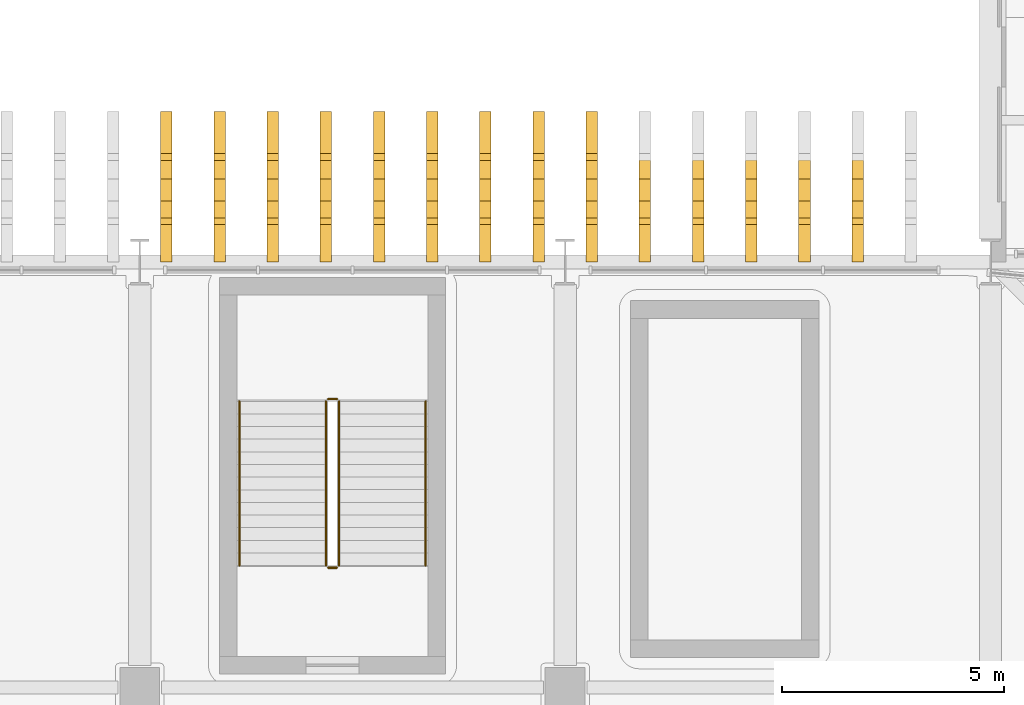
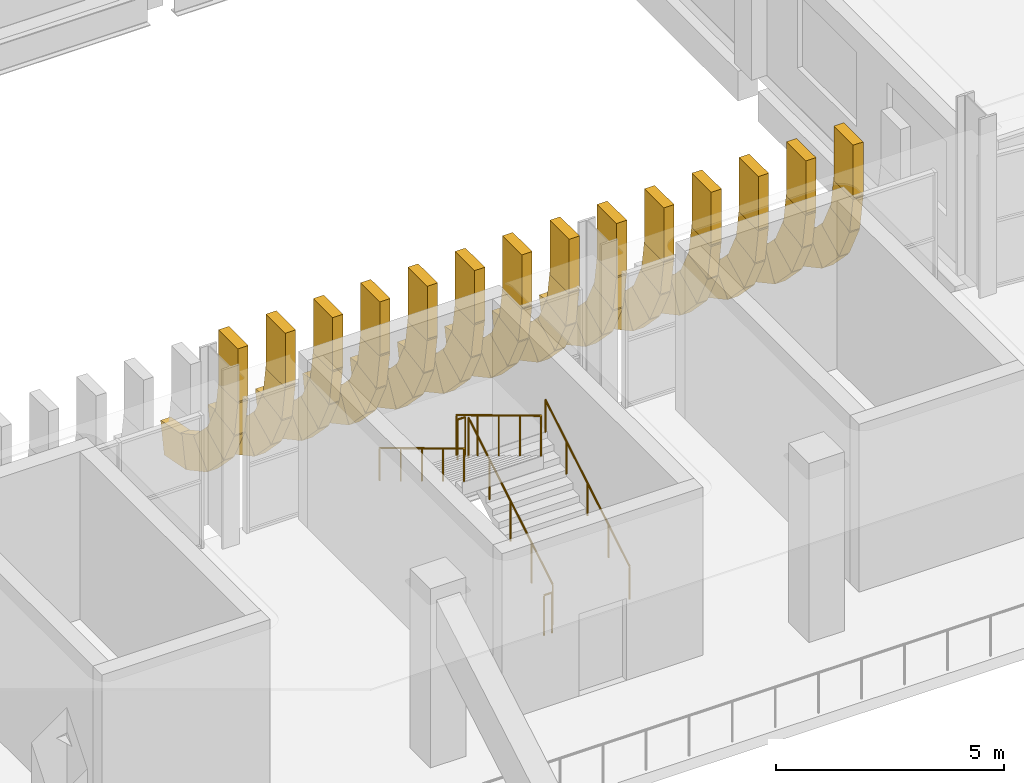
# One storey, part 95 of 100: 79 coverings, 6 railings.
"""IFC4 building model written with IfcOpenShell, lengths in metres."""

from ifc_helpers import new_model, si_unit, direction, frame, origin, origin_2d, place, context, subcontext, project, spatial, rectangle, circle, extrude, material, material_profile, profile_set, type_object, element, save


model = new_model("IFC4")

# Units and contexts
model_context = context("Model", 3, precision=1e-05, world=origin(), true_north=direction((0.0, 1.0)))
body_context = subcontext(model_context, "Body", "Model", "MODEL_VIEW")
ifc_project = project(units=[si_unit("LENGTHUNIT", "METRE"), si_unit("AREAUNIT", "SQUARE_METRE"), si_unit("VOLUMEUNIT", "CUBIC_METRE"), si_unit("PLANEANGLEUNIT", "RADIAN"), si_unit("MASSUNIT", "GRAM", prefix="KILO")], contexts=[model_context])

# Site, building, storey
site_placement = place(None, origin())
site = spatial("IfcSite", under=ifc_project, at=site_placement, CompositionType="ELEMENT")
building_placement = place(site_placement, origin())
building = spatial("IfcBuilding", under=site, at=building_placement, Name="Caelomonte Colonnade Arena", CompositionType="ELEMENT")
storey_placement = place(building_placement, origin())
storey = spatial("IfcBuildingStorey", under=building, at=storey_placement, Name="L00", CompositionType="ELEMENT", Elevation=0.0)

# Coverings
ifc_material_1 = material(Name="Precast travertine cladding", Category="masonry")
ifc_material_profile = material_profile(ifc_material_1, rectangle(XDim=0.260009765625, YDim=0.85009765625, at=origin_2d()), Name="FIN260X850")
ifc_profile_set = profile_set([ifc_material_profile], Name="Precast travertine cladding")
covering_type = type_object("IfcCoveringType", Name="ENV-FN-SKIRT", PredefinedType="CLADDING", material=ifc_profile_set)
covering_1_placement = place(storey_placement, frame((141.0, 115.62109375, 3.360107421875), z_axis=(0.0, 0.0, 1.0), x_axis=(1.0, 0.0, 0.0)))
element("IfcCovering", 1, at=covering_1_placement, inside=storey, type_object=covering_type, Name="V1 L00 upper classical fin stem 94", PredefinedType="CLADDING", context=body_context, shape_type="SweptSolid", body=[
    extrude(rectangle(XDim=0.260009765625, YDim=0.85009765625, at=origin_2d()), origin(), (0.0, 0.0, 1.0), 1.4599609375),
])
for number, where, z_axis, x_axis, name in (
    (2, (141.0, 115.614013671875, 3.474609375), (0.0, 0.153076342973, -0.988214366027), (-1.0, 0.0, 0.0), "V1 L00 splayed classical fin skirt chord 1 (94)"),
    (3, (141.0, 115.741455078125, 2.563232421875), (0.0, 0.444692864571, -0.89568312265), (-1.0, 0.0, 0.0), "V1 L00 splayed classical fin skirt chord 2 (94)"),
    (4, (141.0, 116.13818359375, 1.733154296875), (0.0, 0.694646381209, -0.71935137803), (-1.0, 0.0, 0.0), "V1 L00 splayed classical fin skirt chord 3 (94)"),
    (5, (141.0, 116.767578125, 1.061767578125), (0.0, 0.879731158529, -0.475471438379), (-1.0, 0.0, 0.0), "V1 L00 splayed classical fin skirt chord 4 (94)"),
):
    element("IfcCovering", number, at=place(storey_placement, frame(where, z_axis=z_axis, x_axis=x_axis)), inside=storey, type_object=covering_type, Name=name, PredefinedType="CLADDING", context=body_context, shape_type="SweptSolid", body=[
        extrude(rectangle(XDim=0.260009765625, YDim=0.85009765625, at=origin_2d()), origin(), (0.0, 0.0, 1.0), 1.008056640625),
    ])
covering_2_placement = place(storey_placement, frame((139.800048828125, 115.62109375, 3.360107421875), z_axis=(0.0, 0.0, 1.0), x_axis=(1.0, 0.0, 0.0)))
element("IfcCovering", 6, at=covering_2_placement, inside=storey, type_object=covering_type, Name="V1 L00 upper classical fin stem 95", PredefinedType="CLADDING", context=body_context, shape_type="SweptSolid", body=[
    extrude(rectangle(XDim=0.260009765625, YDim=0.85009765625, at=origin_2d()), origin(), (0.0, 0.0, 1.0), 1.4599609375),
])
for number, where, z_axis, x_axis, name in (
    (7, (139.800048828125, 115.614013671875, 3.474609375), (0.0, 0.153076342973, -0.988214366027), (-1.0, 0.0, 0.0), "V1 L00 splayed classical fin skirt chord 1 (95)"),
    (8, (139.800048828125, 115.741455078125, 2.563232421875), (0.0, 0.444692864571, -0.89568312265), (-1.0, 0.0, 0.0), "V1 L00 splayed classical fin skirt chord 2 (95)"),
    (9, (139.800048828125, 116.13818359375, 1.733154296875), (0.0, 0.694646381209, -0.71935137803), (-1.0, 0.0, 0.0), "V1 L00 splayed classical fin skirt chord 3 (95)"),
    (10, (139.800048828125, 116.767578125, 1.061767578125), (0.0, 0.879731158529, -0.475471438379), (-1.0, 0.0, 0.0), "V1 L00 splayed classical fin skirt chord 4 (95)"),
):
    element("IfcCovering", number, at=place(storey_placement, frame(where, z_axis=z_axis, x_axis=x_axis)), inside=storey, type_object=covering_type, Name=name, PredefinedType="CLADDING", context=body_context, shape_type="SweptSolid", body=[
        extrude(rectangle(XDim=0.260009765625, YDim=0.85009765625, at=origin_2d()), origin(), (0.0, 0.0, 1.0), 1.008056640625),
    ])
covering_3_placement = place(storey_placement, frame((138.60009765625, 115.62109375, 3.360107421875), z_axis=(0.0, 0.0, 1.0), x_axis=(1.0, 0.0, 0.0)))
element("IfcCovering", 11, at=covering_3_placement, inside=storey, type_object=covering_type, Name="V1 L00 upper classical fin stem 96", PredefinedType="CLADDING", context=body_context, shape_type="SweptSolid", body=[
    extrude(rectangle(XDim=0.260009765625, YDim=0.85009765625, at=origin_2d()), origin(), (0.0, 0.0, 1.0), 1.4599609375),
])
for number, where, z_axis, x_axis, name in (
    (12, (138.60009765625, 115.614013671875, 3.474609375), (0.0, 0.153076342973, -0.988214366027), (-1.0, 0.0, 0.0), "V1 L00 splayed classical fin skirt chord 1 (96)"),
    (13, (138.60009765625, 115.741455078125, 2.563232421875), (0.0, 0.444692864571, -0.89568312265), (-1.0, 0.0, 0.0), "V1 L00 splayed classical fin skirt chord 2 (96)"),
    (14, (138.60009765625, 116.13818359375, 1.733154296875), (0.0, 0.694646381209, -0.71935137803), (-1.0, 0.0, 0.0), "V1 L00 splayed classical fin skirt chord 3 (96)"),
    (15, (138.60009765625, 116.767578125, 1.061767578125), (0.0, 0.879731158529, -0.475471438379), (-1.0, 0.0, 0.0), "V1 L00 splayed classical fin skirt chord 4 (96)"),
):
    element("IfcCovering", number, at=place(storey_placement, frame(where, z_axis=z_axis, x_axis=x_axis)), inside=storey, type_object=covering_type, Name=name, PredefinedType="CLADDING", context=body_context, shape_type="SweptSolid", body=[
        extrude(rectangle(XDim=0.260009765625, YDim=0.85009765625, at=origin_2d()), origin(), (0.0, 0.0, 1.0), 1.008056640625),
    ])
covering_4_placement = place(storey_placement, frame((137.39990234375, 115.62109375, 3.360107421875), z_axis=(0.0, 0.0, 1.0), x_axis=(1.0, 0.0, 0.0)))
element("IfcCovering", 16, at=covering_4_placement, inside=storey, type_object=covering_type, Name="V1 L00 upper classical fin stem 97", PredefinedType="CLADDING", context=body_context, shape_type="SweptSolid", body=[
    extrude(rectangle(XDim=0.260009765625, YDim=0.85009765625, at=origin_2d()), origin(), (0.0, 0.0, 1.0), 1.4599609375),
])
for number, where, z_axis, x_axis, name in (
    (17, (137.39990234375, 115.614013671875, 3.474609375), (0.0, 0.153076342973, -0.988214366027), (-1.0, 0.0, 0.0), "V1 L00 splayed classical fin skirt chord 1 (97)"),
    (18, (137.39990234375, 115.741455078125, 2.563232421875), (0.0, 0.444692864571, -0.89568312265), (-1.0, 0.0, 0.0), "V1 L00 splayed classical fin skirt chord 2 (97)"),
    (19, (137.39990234375, 116.13818359375, 1.733154296875), (0.0, 0.694646381209, -0.71935137803), (-1.0, 0.0, 0.0), "V1 L00 splayed classical fin skirt chord 3 (97)"),
    (20, (137.39990234375, 116.767578125, 1.061767578125), (0.0, 0.879731158529, -0.475471438379), (-1.0, 0.0, 0.0), "V1 L00 splayed classical fin skirt chord 4 (97)"),
):
    element("IfcCovering", number, at=place(storey_placement, frame(where, z_axis=z_axis, x_axis=x_axis)), inside=storey, type_object=covering_type, Name=name, PredefinedType="CLADDING", context=body_context, shape_type="SweptSolid", body=[
        extrude(rectangle(XDim=0.260009765625, YDim=0.85009765625, at=origin_2d()), origin(), (0.0, 0.0, 1.0), 1.008056640625),
    ])
covering_5_placement = place(storey_placement, frame((136.199951171875, 115.62109375, 3.360107421875), z_axis=(0.0, 0.0, 1.0), x_axis=(1.0, 0.0, 0.0)))
element("IfcCovering", 21, at=covering_5_placement, inside=storey, type_object=covering_type, Name="V1 L00 upper classical fin stem 98", PredefinedType="CLADDING", context=body_context, shape_type="SweptSolid", body=[
    extrude(rectangle(XDim=0.260009765625, YDim=0.85009765625, at=origin_2d()), origin(), (0.0, 0.0, 1.0), 1.4599609375),
])
for number, where, z_axis, x_axis, name in (
    (22, (136.199951171875, 115.614013671875, 3.474609375), (0.0, 0.153076342973, -0.988214366027), (-1.0, 0.0, 0.0), "V1 L00 splayed classical fin skirt chord 1 (98)"),
    (23, (136.199951171875, 115.741455078125, 2.563232421875), (0.0, 0.444692864571, -0.89568312265), (-1.0, 0.0, 0.0), "V1 L00 splayed classical fin skirt chord 2 (98)"),
    (24, (136.199951171875, 116.13818359375, 1.733154296875), (0.0, 0.694646381209, -0.71935137803), (-1.0, 0.0, 0.0), "V1 L00 splayed classical fin skirt chord 3 (98)"),
    (25, (136.199951171875, 116.767578125, 1.061767578125), (0.0, 0.879731158529, -0.475471438379), (-1.0, 0.0, 0.0), "V1 L00 splayed classical fin skirt chord 4 (98)"),
):
    element("IfcCovering", number, at=place(storey_placement, frame(where, z_axis=z_axis, x_axis=x_axis)), inside=storey, type_object=covering_type, Name=name, PredefinedType="CLADDING", context=body_context, shape_type="SweptSolid", body=[
        extrude(rectangle(XDim=0.260009765625, YDim=0.85009765625, at=origin_2d()), origin(), (0.0, 0.0, 1.0), 1.008056640625),
    ])
covering_6_placement = place(storey_placement, frame((135.0, 115.62109375, 3.360107421875), z_axis=(0.0, 0.0, 1.0), x_axis=(1.0, 0.0, 0.0)))
element("IfcCovering", 26, at=covering_6_placement, inside=storey, type_object=covering_type, Name="V1 L00 upper classical fin stem 99", PredefinedType="CLADDING", context=body_context, shape_type="SweptSolid", body=[
    extrude(rectangle(XDim=0.260009765625, YDim=0.85009765625, at=origin_2d()), origin(), (0.0, 0.0, 1.0), 1.4599609375),
])
for number, where, z_axis, x_axis, name in (
    (27, (135.0, 115.614013671875, 3.474609375), (0.0, 0.153076342973, -0.988214366027), (-1.0, 0.0, 0.0), "V1 L00 splayed classical fin skirt chord 1 (99)"),
    (28, (135.0, 115.741455078125, 2.563232421875), (0.0, 0.444692864571, -0.89568312265), (-1.0, 0.0, 0.0), "V1 L00 splayed classical fin skirt chord 2 (99)"),
    (29, (135.0, 116.13818359375, 1.733154296875), (0.0, 0.694646381209, -0.71935137803), (-1.0, 0.0, 0.0), "V1 L00 splayed classical fin skirt chord 3 (99)"),
    (30, (135.0, 116.767578125, 1.061767578125), (0.0, 0.879731158529, -0.475471438379), (-1.0, 0.0, 0.0), "V1 L00 splayed classical fin skirt chord 4 (99)"),
):
    element("IfcCovering", number, at=place(storey_placement, frame(where, z_axis=z_axis, x_axis=x_axis)), inside=storey, type_object=covering_type, Name=name, PredefinedType="CLADDING", context=body_context, shape_type="SweptSolid", body=[
        extrude(rectangle(XDim=0.260009765625, YDim=0.85009765625, at=origin_2d()), origin(), (0.0, 0.0, 1.0), 1.008056640625),
    ])
covering_7_placement = place(storey_placement, frame((135.0, 117.5703125, 0.6123046875), z_axis=(0.0, 0.982296384632, -0.187333426643), x_axis=(-1.0, 0.0, 0.0)))
element("IfcCovering", 31, at=covering_7_placement, inside=storey, type_object=covering_type, Name="V1 L00 splayed classical fin skirt chord 5 (99)", PredefinedType="CLADDING", context=body_context, shape_type="SweptSolid", body=[
    extrude(rectangle(XDim=0.260009765625, YDim=0.85009765625, at=origin_2d()), origin(), (0.0, 0.0, 1.0), 0.963134765625),
])
covering_8_placement = place(storey_placement, frame((133.800048828125, 115.62109375, 3.360107421875), z_axis=(0.0, 0.0, 1.0), x_axis=(1.0, 0.0, 0.0)))
element("IfcCovering", 32, at=covering_8_placement, inside=storey, type_object=covering_type, Name="V1 L00 upper classical fin stem 100", PredefinedType="CLADDING", context=body_context, shape_type="SweptSolid", body=[
    extrude(rectangle(XDim=0.260009765625, YDim=0.85009765625, at=origin_2d()), origin(), (0.0, 0.0, 1.0), 1.4599609375),
])
for number, where, z_axis, x_axis, name in (
    (33, (133.800048828125, 115.614013671875, 3.474609375), (0.0, 0.153076342973, -0.988214366027), (-1.0, 0.0, 0.0), "V1 L00 splayed classical fin skirt chord 1 (100)"),
    (34, (133.800048828125, 115.741455078125, 2.563232421875), (0.0, 0.444692864571, -0.89568312265), (-1.0, 0.0, 0.0), "V1 L00 splayed classical fin skirt chord 2 (100)"),
    (35, (133.800048828125, 116.13818359375, 1.733154296875), (0.0, 0.694646381209, -0.71935137803), (-1.0, 0.0, 0.0), "V1 L00 splayed classical fin skirt chord 3 (100)"),
    (36, (133.800048828125, 116.767578125, 1.061767578125), (0.0, 0.879731158529, -0.475471438379), (-1.0, 0.0, 0.0), "V1 L00 splayed classical fin skirt chord 4 (100)"),
):
    element("IfcCovering", number, at=place(storey_placement, frame(where, z_axis=z_axis, x_axis=x_axis)), inside=storey, type_object=covering_type, Name=name, PredefinedType="CLADDING", context=body_context, shape_type="SweptSolid", body=[
        extrude(rectangle(XDim=0.260009765625, YDim=0.85009765625, at=origin_2d()), origin(), (0.0, 0.0, 1.0), 1.008056640625),
    ])
covering_9_placement = place(storey_placement, frame((133.800048828125, 117.5703125, 0.6123046875), z_axis=(0.0, 0.982296384632, -0.187333426643), x_axis=(-1.0, 0.0, 0.0)))
element("IfcCovering", 37, at=covering_9_placement, inside=storey, type_object=covering_type, Name="V1 L00 splayed classical fin skirt chord 5 (100)", PredefinedType="CLADDING", context=body_context, shape_type="SweptSolid", body=[
    extrude(rectangle(XDim=0.260009765625, YDim=0.85009765625, at=origin_2d()), origin(), (0.0, 0.0, 1.0), 0.963134765625),
])
covering_10_placement = place(storey_placement, frame((132.60009765625, 115.62109375, 3.360107421875), z_axis=(0.0, 0.0, 1.0), x_axis=(1.0, 0.0, 0.0)))
element("IfcCovering", 38, at=covering_10_placement, inside=storey, type_object=covering_type, Name="V1 L00 upper classical fin stem 101", PredefinedType="CLADDING", context=body_context, shape_type="SweptSolid", body=[
    extrude(rectangle(XDim=0.260009765625, YDim=0.85009765625, at=origin_2d()), origin(), (0.0, 0.0, 1.0), 1.4599609375),
])
for number, where, z_axis, x_axis, name in (
    (39, (132.60009765625, 115.614013671875, 3.474609375), (0.0, 0.153076342973, -0.988214366027), (-1.0, 0.0, 0.0), "V1 L00 splayed classical fin skirt chord 1 (101)"),
    (40, (132.60009765625, 115.741455078125, 2.563232421875), (0.0, 0.444692864571, -0.89568312265), (-1.0, 0.0, 0.0), "V1 L00 splayed classical fin skirt chord 2 (101)"),
    (41, (132.60009765625, 116.13818359375, 1.733154296875), (0.0, 0.694646381209, -0.71935137803), (-1.0, 0.0, 0.0), "V1 L00 splayed classical fin skirt chord 3 (101)"),
    (42, (132.60009765625, 116.767578125, 1.061767578125), (0.0, 0.879731158529, -0.475471438379), (-1.0, 0.0, 0.0), "V1 L00 splayed classical fin skirt chord 4 (101)"),
):
    element("IfcCovering", number, at=place(storey_placement, frame(where, z_axis=z_axis, x_axis=x_axis)), inside=storey, type_object=covering_type, Name=name, PredefinedType="CLADDING", context=body_context, shape_type="SweptSolid", body=[
        extrude(rectangle(XDim=0.260009765625, YDim=0.85009765625, at=origin_2d()), origin(), (0.0, 0.0, 1.0), 1.008056640625),
    ])
covering_11_placement = place(storey_placement, frame((132.60009765625, 117.5703125, 0.6123046875), z_axis=(0.0, 0.982296384632, -0.187333426643), x_axis=(-1.0, 0.0, 0.0)))
element("IfcCovering", 43, at=covering_11_placement, inside=storey, type_object=covering_type, Name="V1 L00 splayed classical fin skirt chord 5 (101)", PredefinedType="CLADDING", context=body_context, shape_type="SweptSolid", body=[
    extrude(rectangle(XDim=0.260009765625, YDim=0.85009765625, at=origin_2d()), origin(), (0.0, 0.0, 1.0), 0.963134765625),
])
covering_12_placement = place(storey_placement, frame((131.39990234375, 115.62109375, 3.360107421875), z_axis=(0.0, 0.0, 1.0), x_axis=(1.0, 0.0, 0.0)))
element("IfcCovering", 44, at=covering_12_placement, inside=storey, type_object=covering_type, Name="V1 L00 upper classical fin stem 102", PredefinedType="CLADDING", context=body_context, shape_type="SweptSolid", body=[
    extrude(rectangle(XDim=0.260009765625, YDim=0.85009765625, at=origin_2d()), origin(), (0.0, 0.0, 1.0), 1.4599609375),
])
for number, where, z_axis, x_axis, name in (
    (45, (131.39990234375, 115.614013671875, 3.474609375), (0.0, 0.153076342973, -0.988214366027), (-1.0, 0.0, 0.0), "V1 L00 splayed classical fin skirt chord 1 (102)"),
    (46, (131.39990234375, 115.741455078125, 2.563232421875), (0.0, 0.444692864571, -0.89568312265), (-1.0, 0.0, 0.0), "V1 L00 splayed classical fin skirt chord 2 (102)"),
    (47, (131.39990234375, 116.13818359375, 1.733154296875), (0.0, 0.694646381209, -0.71935137803), (-1.0, 0.0, 0.0), "V1 L00 splayed classical fin skirt chord 3 (102)"),
    (48, (131.39990234375, 116.767578125, 1.061767578125), (0.0, 0.879731158529, -0.475471438379), (-1.0, 0.0, 0.0), "V1 L00 splayed classical fin skirt chord 4 (102)"),
):
    element("IfcCovering", number, at=place(storey_placement, frame(where, z_axis=z_axis, x_axis=x_axis)), inside=storey, type_object=covering_type, Name=name, PredefinedType="CLADDING", context=body_context, shape_type="SweptSolid", body=[
        extrude(rectangle(XDim=0.260009765625, YDim=0.85009765625, at=origin_2d()), origin(), (0.0, 0.0, 1.0), 1.008056640625),
    ])
covering_13_placement = place(storey_placement, frame((131.39990234375, 117.5703125, 0.6123046875), z_axis=(0.0, 0.982296384632, -0.187333426643), x_axis=(-1.0, 0.0, 0.0)))
element("IfcCovering", 49, at=covering_13_placement, inside=storey, type_object=covering_type, Name="V1 L00 splayed classical fin skirt chord 5 (102)", PredefinedType="CLADDING", context=body_context, shape_type="SweptSolid", body=[
    extrude(rectangle(XDim=0.260009765625, YDim=0.85009765625, at=origin_2d()), origin(), (0.0, 0.0, 1.0), 0.963134765625),
])
covering_14_placement = place(storey_placement, frame((130.199951171875, 115.62109375, 3.360107421875), z_axis=(0.0, 0.0, 1.0), x_axis=(1.0, 0.0, 0.0)))
element("IfcCovering", 50, at=covering_14_placement, inside=storey, type_object=covering_type, Name="V1 L00 upper classical fin stem 103", PredefinedType="CLADDING", context=body_context, shape_type="SweptSolid", body=[
    extrude(rectangle(XDim=0.260009765625, YDim=0.85009765625, at=origin_2d()), origin(), (0.0, 0.0, 1.0), 1.4599609375),
])
for number, where, z_axis, x_axis, name in (
    (51, (130.199951171875, 115.614013671875, 3.474609375), (0.0, 0.153076342973, -0.988214366027), (-1.0, 0.0, 0.0), "V1 L00 splayed classical fin skirt chord 1 (103)"),
    (52, (130.199951171875, 115.741455078125, 2.563232421875), (0.0, 0.444692864571, -0.89568312265), (-1.0, 0.0, 0.0), "V1 L00 splayed classical fin skirt chord 2 (103)"),
    (53, (130.199951171875, 116.13818359375, 1.733154296875), (0.0, 0.694646381209, -0.71935137803), (-1.0, 0.0, 0.0), "V1 L00 splayed classical fin skirt chord 3 (103)"),
    (54, (130.199951171875, 116.767578125, 1.061767578125), (0.0, 0.879731158529, -0.475471438379), (-1.0, 0.0, 0.0), "V1 L00 splayed classical fin skirt chord 4 (103)"),
):
    element("IfcCovering", number, at=place(storey_placement, frame(where, z_axis=z_axis, x_axis=x_axis)), inside=storey, type_object=covering_type, Name=name, PredefinedType="CLADDING", context=body_context, shape_type="SweptSolid", body=[
        extrude(rectangle(XDim=0.260009765625, YDim=0.85009765625, at=origin_2d()), origin(), (0.0, 0.0, 1.0), 1.008056640625),
    ])
covering_15_placement = place(storey_placement, frame((130.199951171875, 117.5703125, 0.6123046875), z_axis=(0.0, 0.982296384632, -0.187333426643), x_axis=(-1.0, 0.0, 0.0)))
element("IfcCovering", 55, at=covering_15_placement, inside=storey, type_object=covering_type, Name="V1 L00 splayed classical fin skirt chord 5 (103)", PredefinedType="CLADDING", context=body_context, shape_type="SweptSolid", body=[
    extrude(rectangle(XDim=0.260009765625, YDim=0.85009765625, at=origin_2d()), origin(), (0.0, 0.0, 1.0), 0.963134765625),
])
covering_16_placement = place(storey_placement, frame((129.0, 115.62109375, 3.360107421875), z_axis=(0.0, 0.0, 1.0), x_axis=(1.0, 0.0, 0.0)))
element("IfcCovering", 56, at=covering_16_placement, inside=storey, type_object=covering_type, Name="V1 L00 upper classical fin stem 104", PredefinedType="CLADDING", context=body_context, shape_type="SweptSolid", body=[
    extrude(rectangle(XDim=0.260009765625, YDim=0.85009765625, at=origin_2d()), origin(), (0.0, 0.0, 1.0), 1.4599609375),
])
for number, where, z_axis, x_axis, name in (
    (57, (129.0, 115.614013671875, 3.474609375), (0.0, 0.153076342973, -0.988214366027), (-1.0, 0.0, 0.0), "V1 L00 splayed classical fin skirt chord 1 (104)"),
    (58, (129.0, 115.741455078125, 2.563232421875), (0.0, 0.444692864571, -0.89568312265), (-1.0, 0.0, 0.0), "V1 L00 splayed classical fin skirt chord 2 (104)"),
    (59, (129.0, 116.13818359375, 1.733154296875), (0.0, 0.694646381209, -0.71935137803), (-1.0, 0.0, 0.0), "V1 L00 splayed classical fin skirt chord 3 (104)"),
    (60, (129.0, 116.767578125, 1.061767578125), (0.0, 0.879731158529, -0.475471438379), (-1.0, 0.0, 0.0), "V1 L00 splayed classical fin skirt chord 4 (104)"),
):
    element("IfcCovering", number, at=place(storey_placement, frame(where, z_axis=z_axis, x_axis=x_axis)), inside=storey, type_object=covering_type, Name=name, PredefinedType="CLADDING", context=body_context, shape_type="SweptSolid", body=[
        extrude(rectangle(XDim=0.260009765625, YDim=0.85009765625, at=origin_2d()), origin(), (0.0, 0.0, 1.0), 1.008056640625),
    ])
covering_17_placement = place(storey_placement, frame((129.0, 117.5703125, 0.6123046875), z_axis=(0.0, 0.982296384632, -0.187333426643), x_axis=(-1.0, 0.0, 0.0)))
element("IfcCovering", 61, at=covering_17_placement, inside=storey, type_object=covering_type, Name="V1 L00 splayed classical fin skirt chord 5 (104)", PredefinedType="CLADDING", context=body_context, shape_type="SweptSolid", body=[
    extrude(rectangle(XDim=0.260009765625, YDim=0.85009765625, at=origin_2d()), origin(), (0.0, 0.0, 1.0), 0.963134765625),
])
covering_18_placement = place(storey_placement, frame((127.800048828125, 115.62109375, 3.360107421875), z_axis=(0.0, 0.0, 1.0), x_axis=(1.0, 0.0, 0.0)))
element("IfcCovering", 62, at=covering_18_placement, inside=storey, type_object=covering_type, Name="V1 L00 upper classical fin stem 105", PredefinedType="CLADDING", context=body_context, shape_type="SweptSolid", body=[
    extrude(rectangle(XDim=0.260009765625, YDim=0.85009765625, at=origin_2d()), origin(), (0.0, 0.0, 1.0), 1.4599609375),
])
for number, where, z_axis, x_axis, name in (
    (63, (127.800048828125, 115.614013671875, 3.474609375), (0.0, 0.153076342973, -0.988214366027), (-1.0, 0.0, 0.0), "V1 L00 splayed classical fin skirt chord 1 (105)"),
    (64, (127.800048828125, 115.741455078125, 2.563232421875), (0.0, 0.444692864571, -0.89568312265), (-1.0, 0.0, 0.0), "V1 L00 splayed classical fin skirt chord 2 (105)"),
    (65, (127.800048828125, 116.13818359375, 1.733154296875), (0.0, 0.694646381209, -0.71935137803), (-1.0, 0.0, 0.0), "V1 L00 splayed classical fin skirt chord 3 (105)"),
    (66, (127.800048828125, 116.767578125, 1.061767578125), (0.0, 0.879731158529, -0.475471438379), (-1.0, 0.0, 0.0), "V1 L00 splayed classical fin skirt chord 4 (105)"),
):
    element("IfcCovering", number, at=place(storey_placement, frame(where, z_axis=z_axis, x_axis=x_axis)), inside=storey, type_object=covering_type, Name=name, PredefinedType="CLADDING", context=body_context, shape_type="SweptSolid", body=[
        extrude(rectangle(XDim=0.260009765625, YDim=0.85009765625, at=origin_2d()), origin(), (0.0, 0.0, 1.0), 1.008056640625),
    ])
covering_19_placement = place(storey_placement, frame((127.800048828125, 117.5703125, 0.6123046875), z_axis=(0.0, 0.982296384632, -0.187333426643), x_axis=(-1.0, 0.0, 0.0)))
element("IfcCovering", 67, at=covering_19_placement, inside=storey, type_object=covering_type, Name="V1 L00 splayed classical fin skirt chord 5 (105)", PredefinedType="CLADDING", context=body_context, shape_type="SweptSolid", body=[
    extrude(rectangle(XDim=0.260009765625, YDim=0.85009765625, at=origin_2d()), origin(), (0.0, 0.0, 1.0), 0.963134765625),
])
covering_20_placement = place(storey_placement, frame((126.60009765625, 115.62109375, 3.360107421875), z_axis=(0.0, 0.0, 1.0), x_axis=(1.0, 0.0, 0.0)))
element("IfcCovering", 68, at=covering_20_placement, inside=storey, type_object=covering_type, Name="V1 L00 upper classical fin stem 106", PredefinedType="CLADDING", context=body_context, shape_type="SweptSolid", body=[
    extrude(rectangle(XDim=0.260009765625, YDim=0.85009765625, at=origin_2d()), origin(), (0.0, 0.0, 1.0), 1.4599609375),
])
for number, where, z_axis, x_axis, name in (
    (69, (126.60009765625, 115.614013671875, 3.474609375), (0.0, 0.153076342973, -0.988214366027), (-1.0, 0.0, 0.0), "V1 L00 splayed classical fin skirt chord 1 (106)"),
    (70, (126.60009765625, 115.741455078125, 2.563232421875), (0.0, 0.444692864571, -0.89568312265), (-1.0, 0.0, 0.0), "V1 L00 splayed classical fin skirt chord 2 (106)"),
    (71, (126.60009765625, 116.13818359375, 1.733154296875), (0.0, 0.694646381209, -0.71935137803), (-1.0, 0.0, 0.0), "V1 L00 splayed classical fin skirt chord 3 (106)"),
    (72, (126.60009765625, 116.767578125, 1.061767578125), (0.0, 0.879731158529, -0.475471438379), (-1.0, 0.0, 0.0), "V1 L00 splayed classical fin skirt chord 4 (106)"),
):
    element("IfcCovering", number, at=place(storey_placement, frame(where, z_axis=z_axis, x_axis=x_axis)), inside=storey, type_object=covering_type, Name=name, PredefinedType="CLADDING", context=body_context, shape_type="SweptSolid", body=[
        extrude(rectangle(XDim=0.260009765625, YDim=0.85009765625, at=origin_2d()), origin(), (0.0, 0.0, 1.0), 1.008056640625),
    ])
covering_21_placement = place(storey_placement, frame((126.60009765625, 117.5703125, 0.6123046875), z_axis=(0.0, 0.982296384632, -0.187333426643), x_axis=(-1.0, 0.0, 0.0)))
element("IfcCovering", 73, at=covering_21_placement, inside=storey, type_object=covering_type, Name="V1 L00 splayed classical fin skirt chord 5 (106)", PredefinedType="CLADDING", context=body_context, shape_type="SweptSolid", body=[
    extrude(rectangle(XDim=0.260009765625, YDim=0.85009765625, at=origin_2d()), origin(), (0.0, 0.0, 1.0), 0.963134765625),
])
covering_22_placement = place(storey_placement, frame((125.39990234375, 115.62109375, 3.360107421875), z_axis=(0.0, 0.0, 1.0), x_axis=(1.0, 0.0, 0.0)))
element("IfcCovering", 74, at=covering_22_placement, inside=storey, type_object=covering_type, Name="V1 L00 upper classical fin stem 107", PredefinedType="CLADDING", context=body_context, shape_type="SweptSolid", body=[
    extrude(rectangle(XDim=0.260009765625, YDim=0.85009765625, at=origin_2d()), origin(), (0.0, 0.0, 1.0), 1.4599609375),
])
for number, where, z_axis, x_axis, name in (
    (75, (125.39990234375, 115.614013671875, 3.474609375), (0.0, 0.153076342973, -0.988214366027), (-1.0, 0.0, 0.0), "V1 L00 splayed classical fin skirt chord 1 (107)"),
    (76, (125.39990234375, 115.741455078125, 2.563232421875), (0.0, 0.444692864571, -0.89568312265), (-1.0, 0.0, 0.0), "V1 L00 splayed classical fin skirt chord 2 (107)"),
    (77, (125.39990234375, 116.13818359375, 1.733154296875), (0.0, 0.694646381209, -0.71935137803), (-1.0, 0.0, 0.0), "V1 L00 splayed classical fin skirt chord 3 (107)"),
    (78, (125.39990234375, 116.767578125, 1.061767578125), (0.0, 0.879731158529, -0.475471438379), (-1.0, 0.0, 0.0), "V1 L00 splayed classical fin skirt chord 4 (107)"),
):
    element("IfcCovering", number, at=place(storey_placement, frame(where, z_axis=z_axis, x_axis=x_axis)), inside=storey, type_object=covering_type, Name=name, PredefinedType="CLADDING", context=body_context, shape_type="SweptSolid", body=[
        extrude(rectangle(XDim=0.260009765625, YDim=0.85009765625, at=origin_2d()), origin(), (0.0, 0.0, 1.0), 1.008056640625),
    ])
covering_23_placement = place(storey_placement, frame((125.39990234375, 117.5703125, 0.6123046875), z_axis=(0.0, 0.982296384632, -0.187333426643), x_axis=(-1.0, 0.0, 0.0)))
element("IfcCovering", 79, at=covering_23_placement, inside=storey, type_object=covering_type, Name="V1 L00 splayed classical fin skirt chord 5 (107)", PredefinedType="CLADDING", context=body_context, shape_type="SweptSolid", body=[
    extrude(rectangle(XDim=0.260009765625, YDim=0.85009765625, at=origin_2d()), origin(), (0.0, 0.0, 1.0), 0.963134765625),
])

# Railings
ifc_material_2 = material(Name="Painted galvanized steel stair guard", Category="steel")
railing_type_1 = type_object("IfcRailingType", Name="INT-RL-GRD", PredefinedType="GUARDRAIL", material=ifc_material_2)
railing_1_placement = place(storey_placement, frame((129.300048828125, 108.35009765625, 0.17138671875)))
element("IfcRailing", 80, at=railing_1_placement, inside=storey, type_object=railing_type_1, Name="L00 ST-16 stair guard 1", PredefinedType="GUARDRAIL", context=body_context, shape_type="SweptSolid", body=[
    extrude(circle(Radius=0.02392578125, at=origin_2d()), frame((0.0, 0.0, 1.076171875), z_axis=(0.0, 0.856919398105, 0.515450429384), x_axis=(-1.0, 0.0, 0.0)), (0.0, 0.0, 1.0), 4.323486328125),
    extrude(circle(Radius=0.02099609375, at=origin_2d()), origin(), (0.0, 0.0, 1.0), 1.048095703125),
    extrude(circle(Radius=0.02099609375, at=origin_2d()), frame((0.0, 0.92626953125, 0.55712890625)), (0.0, 0.0, 1.0), 1.048095703125),
    extrude(circle(Radius=0.02099609375, at=origin_2d()), frame((0.0, 1.8525390625, 1.1142578125)), (0.0, 0.0, 1.0), 1.048095703125),
    extrude(circle(Radius=0.02099609375, at=origin_2d()), frame((0.0, 2.778564453125, 1.67138671875)), (0.0, 0.0, 1.0), 1.048095703125),
    extrude(circle(Radius=0.02099609375, at=origin_2d()), frame((0.0, 3.704833984375, 2.228515625)), (0.0, 0.0, 1.0), 1.048095703125),
])
railing_2_placement = place(storey_placement, frame((129.25, 112.10498046875, 2.39990234375)))
element("IfcRailing", 81, at=railing_2_placement, inside=storey, type_object=railing_type_1, Name="L00 ST-16 stair guard 2", PredefinedType="GUARDRAIL", context=body_context, shape_type="SweptSolid", body=[
    extrude(circle(Radius=0.02392578125, at=origin_2d()), frame((0.0, 0.0, 1.076171875), z_axis=(-1.0, 0.0, 0.0), x_axis=(0.0, -1.0, 0.0)), (0.0, 0.0, 1.0), 0.199951171875),
    extrude(circle(Radius=0.02099609375, at=origin_2d()), origin(), (0.0, 0.0, 1.0), 1.048095703125),
    extrude(circle(Radius=0.02099609375, at=origin_2d()), frame((-0.199951171875, 0.0, 0.0)), (0.0, 0.0, 1.0), 1.048095703125),
])
railing_3_placement = place(storey_placement, frame((129.0, 112.054931640625, 2.571533203125)))
element("IfcRailing", 82, at=railing_3_placement, inside=storey, type_object=railing_type_1, Name="L00 ST-16 stair guard 3", PredefinedType="GUARDRAIL", context=body_context, shape_type="SweptSolid", body=[
    extrude(circle(Radius=0.02392578125, at=origin_2d()), frame((0.0, 0.0, 1.076171875), z_axis=(0.0, -0.856919398105, 0.515450429384), x_axis=(1.0, 0.0, 0.0)), (0.0, 0.0, 1.0), 4.323486328125),
    extrude(circle(Radius=0.02099609375, at=origin_2d()), origin(), (0.0, 0.0, 1.0), 1.048095703125),
    extrude(circle(Radius=0.02099609375, at=origin_2d()), frame((0.0, -0.92626953125, 0.55712890625)), (0.0, 0.0, 1.0), 1.048095703125),
    extrude(circle(Radius=0.02099609375, at=origin_2d()), frame((0.0, -1.8525390625, 1.1142578125)), (0.0, 0.0, 1.0), 1.048095703125),
    extrude(circle(Radius=0.02099609375, at=origin_2d()), frame((0.0, -2.778564453125, 1.67138671875)), (0.0, 0.0, 1.0), 1.048095703125),
    extrude(circle(Radius=0.02099609375, at=origin_2d()), frame((0.0, -3.704833984375, 2.228515625)), (0.0, 0.0, 1.0), 1.048095703125),
])
railing_4_placement = place(storey_placement, frame((129.25, 108.300048828125, 0.0)))
element("IfcRailing", 83, at=railing_4_placement, inside=storey, type_object=railing_type_1, Name="L00 ST-16 stair guard 4", PredefinedType="GUARDRAIL", context=body_context, shape_type="SweptSolid", body=[
    extrude(circle(Radius=0.02392578125, at=origin_2d()), frame((0.0, 0.0, 1.076171875), z_axis=(-1.0, 0.0, 0.0), x_axis=(0.0, -1.0, 0.0)), (0.0, 0.0, 1.0), 0.199951171875),
    extrude(circle(Radius=0.02099609375, at=origin_2d()), origin(), (0.0, 0.0, 1.0), 1.048095703125),
    extrude(circle(Radius=0.02099609375, at=origin_2d()), frame((-0.199951171875, 0.0, 0.0)), (0.0, 0.0, 1.0), 1.048095703125),
])
ifc_material_3 = material(Name="Brushed stainless steel stair handrail", Category="steel")
railing_type_2 = type_object("IfcRailingType", Name="INT-RL-HR", PredefinedType="HANDRAIL", material=ifc_material_3)
railing_5_placement = place(storey_placement, frame((131.25, 108.35009765625, 0.17138671875)))
element("IfcRailing", 84, at=railing_5_placement, inside=storey, type_object=railing_type_2, Name="L00 ST-16 stair handrail 1", PredefinedType="HANDRAIL", context=body_context, shape_type="SweptSolid", body=[
    extrude(circle(Radius=0.02392578125, at=origin_2d()), frame((0.0, 0.0, 0.8759765625), z_axis=(0.0, 0.856919398105, 0.515450429384), x_axis=(-1.0, 0.0, 0.0)), (0.0, 0.0, 1.0), 4.323486328125),
    extrude(circle(Radius=0.02099609375, at=origin_2d()), origin(), (0.0, 0.0, 1.0), 0.847900390625),
    extrude(circle(Radius=0.02099609375, at=origin_2d()), frame((0.0, 0.92626953125, 0.55712890625)), (0.0, 0.0, 1.0), 0.847900390625),
    extrude(circle(Radius=0.02099609375, at=origin_2d()), frame((0.0, 1.8525390625, 1.1142578125)), (0.0, 0.0, 1.0), 0.847900390625),
    extrude(circle(Radius=0.02099609375, at=origin_2d()), frame((0.0, 2.778564453125, 1.67138671875)), (0.0, 0.0, 1.0), 0.847900390625),
    extrude(circle(Radius=0.02099609375, at=origin_2d()), frame((0.0, 3.704833984375, 2.228515625)), (0.0, 0.0, 1.0), 0.847900390625),
])
railing_6_placement = place(storey_placement, frame((127.050048828125, 112.054931640625, 2.571533203125)))
element("IfcRailing", 85, at=railing_6_placement, inside=storey, type_object=railing_type_2, Name="L00 ST-16 stair handrail 2", PredefinedType="HANDRAIL", context=body_context, shape_type="SweptSolid", body=[
    extrude(circle(Radius=0.02392578125, at=origin_2d()), frame((0.0, 0.0, 0.8759765625), z_axis=(0.0, -0.856919398105, 0.515450429384), x_axis=(1.0, 0.0, 0.0)), (0.0, 0.0, 1.0), 4.323486328125),
    extrude(circle(Radius=0.02099609375, at=origin_2d()), origin(), (0.0, 0.0, 1.0), 0.847900390625),
    extrude(circle(Radius=0.02099609375, at=origin_2d()), frame((0.0, -0.92626953125, 0.55712890625)), (0.0, 0.0, 1.0), 0.847900390625),
    extrude(circle(Radius=0.02099609375, at=origin_2d()), frame((0.0, -1.8525390625, 1.1142578125)), (0.0, 0.0, 1.0), 0.847900390625),
    extrude(circle(Radius=0.02099609375, at=origin_2d()), frame((0.0, -2.778564453125, 1.67138671875)), (0.0, 0.0, 1.0), 0.847900390625),
    extrude(circle(Radius=0.02099609375, at=origin_2d()), frame((0.0, -3.704833984375, 2.228515625)), (0.0, 0.0, 1.0), 0.847900390625),
])

save(model, "model.ifc")
